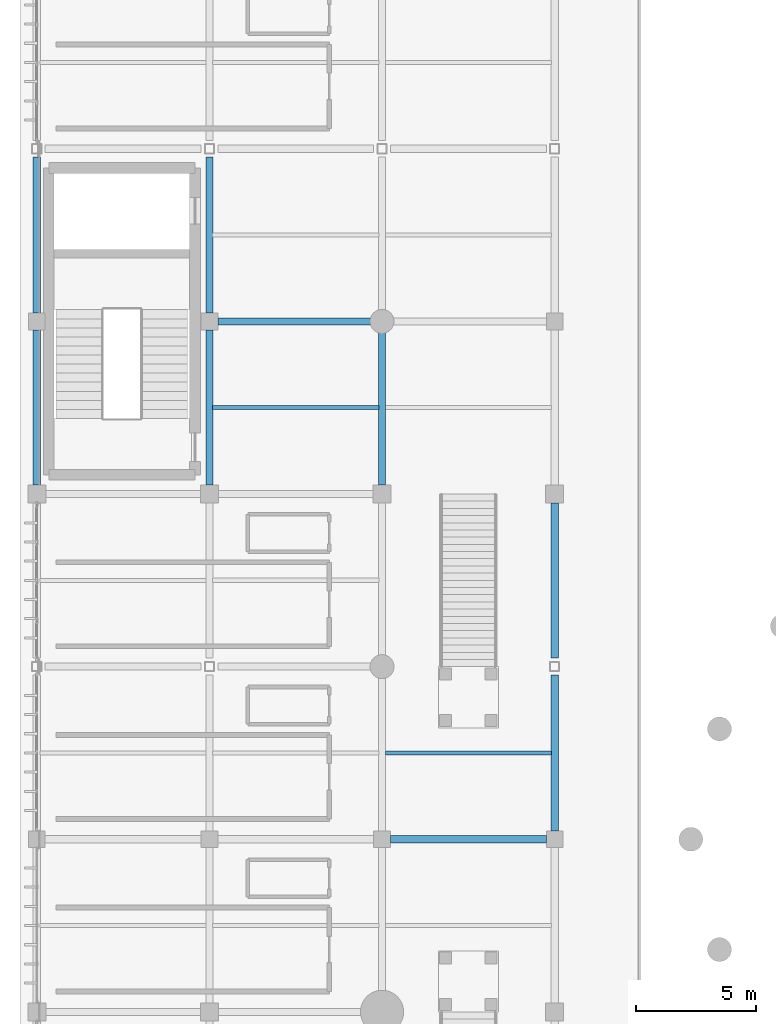
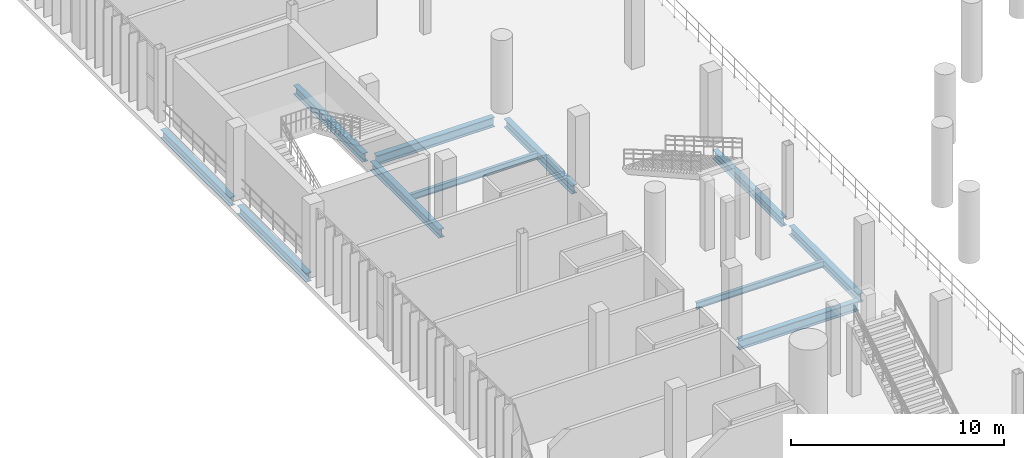
# One storey, part 51 of 130: 11 beams.
"""IFC4 building model written with IfcOpenShell, lengths in metres."""

from ifc_helpers import new_model, si_unit, direction, frame, origin, origin_2d, place, context, subcontext, project, spatial, i_section, extrude, material, material_profile, profile_set, type_object, element, save


model = new_model("IFC4")

# Units and contexts
model_context = context("Model", 3, precision=1e-05, world=origin(), true_north=direction((0.0, 1.0)))
body_context = subcontext(model_context, "Body", "Model", "MODEL_VIEW")
ifc_project = project(units=[si_unit("LENGTHUNIT", "METRE"), si_unit("AREAUNIT", "SQUARE_METRE"), si_unit("VOLUMEUNIT", "CUBIC_METRE"), si_unit("PLANEANGLEUNIT", "RADIAN"), si_unit("MASSUNIT", "GRAM", prefix="KILO")], contexts=[model_context])

# Site, building, storey
site_placement = place(None, origin())
site = spatial("IfcSite", under=ifc_project, at=site_placement, CompositionType="ELEMENT")
building_placement = place(site_placement, origin())
building = spatial("IfcBuilding", under=site, at=building_placement, Name="Qandorah Velis Arena", CompositionType="ELEMENT")
storey_placement = place(building_placement, frame((0.0, 0.0, 9.60009765625)))
storey = spatial("IfcBuildingStorey", under=building, at=storey_placement, Name="L02", CompositionType="ELEMENT", Elevation=9.60009765625)

# Beams
ifc_material = material(Name="Steel S355", Category="steel")
ifc_material_profile_1 = material_profile(ifc_material, i_section(OverallWidth=0.300048828125, OverallDepth=0.5, WebThickness=0.014404296875, FlangeThickness=0.028076171875, FilletRadius=0.027099609375, at=origin_2d()), Name="HEB 500")
ifc_profile_set_1 = profile_set([ifc_material_profile_1], Name="Steel S355")
beam_type_1 = type_object("IfcBeamType", Name="STR-BM-HEB500", PredefinedType="BEAM", material=ifc_profile_set_1)
beam_1_placement = place(storey_placement, frame((0.0, 79.574951171875, -0.530029296875), z_axis=(0.0, 1.0, 0.0), x_axis=(-1.0, 0.0, 0.0)))
element("IfcBeam", 1, at=beam_1_placement, inside=storey, type_object=beam_type_1, Name="Primary floor girder L02 Y-193", PredefinedType="BEAM", context=body_context, shape_type="SweptSolid", body=[
    extrude(i_section(OverallWidth=0.300048828125, OverallDepth=0.5, WebThickness=0.014404296875, FlangeThickness=0.028076171875, FilletRadius=0.027099609375, at=origin_2d()), origin(), (0.0, 0.0, 1.0), 6.47509765625),
])
beam_2_placement = place(storey_placement, frame((0.0, 86.75, -0.530029296875), z_axis=(0.0, 1.0, 0.0), x_axis=(-1.0, 0.0, 0.0)))
element("IfcBeam", 2, at=beam_2_placement, inside=storey, type_object=beam_type_1, Name="Primary floor girder L02 Y-194", PredefinedType="BEAM", context=body_context, shape_type="SweptSolid", body=[
    extrude(i_section(OverallWidth=0.300048828125, OverallDepth=0.5, WebThickness=0.014404296875, FlangeThickness=0.028076171875, FilletRadius=0.027099609375, at=origin_2d()), origin(), (0.0, 0.0, 1.0), 6.5),
])
beam_3_placement = place(storey_placement, frame((7.199951171875, 79.574951171875, -0.530029296875), z_axis=(0.0, 1.0, 0.0), x_axis=(-1.0, 0.0, 0.0)))
element("IfcBeam", 3, at=beam_3_placement, inside=storey, type_object=beam_type_1, Name="Primary floor girder L02 Y-207", PredefinedType="BEAM", context=body_context, shape_type="SweptSolid", body=[
    extrude(i_section(OverallWidth=0.300048828125, OverallDepth=0.5, WebThickness=0.014404296875, FlangeThickness=0.028076171875, FilletRadius=0.027099609375, at=origin_2d()), origin(), (0.0, 0.0, 1.0), 6.47509765625),
])
beam_4_placement = place(storey_placement, frame((7.199951171875, 86.75, -0.530029296875), z_axis=(0.0, 1.0, 0.0), x_axis=(-1.0, 0.0, 0.0)))
element("IfcBeam", 4, at=beam_4_placement, inside=storey, type_object=beam_type_1, Name="Primary floor girder L02 Y-208", PredefinedType="BEAM", context=body_context, shape_type="SweptSolid", body=[
    extrude(i_section(OverallWidth=0.300048828125, OverallDepth=0.5, WebThickness=0.014404296875, FlangeThickness=0.028076171875, FilletRadius=0.027099609375, at=origin_2d()), origin(), (0.0, 0.0, 1.0), 6.5),
])
beam_5_placement = place(storey_placement, frame((14.39990234375, 79.574951171875, -0.530029296875), z_axis=(0.0, 1.0, 0.0), x_axis=(-1.0, 0.0, 0.0)))
element("IfcBeam", 5, at=beam_5_placement, inside=storey, type_object=beam_type_1, Name="Primary floor girder L02 Y-221", PredefinedType="BEAM", context=body_context, shape_type="SweptSolid", body=[
    extrude(i_section(OverallWidth=0.300048828125, OverallDepth=0.5, WebThickness=0.014404296875, FlangeThickness=0.028076171875, FilletRadius=0.027099609375, at=origin_2d()), origin(), (0.0, 0.0, 1.0), 6.375),
])
beam_6_placement = place(storey_placement, frame((21.60009765625, 65.14990234375, -0.530029296875), z_axis=(0.0, 1.0, 0.0), x_axis=(-1.0, 0.0, 0.0)))
element("IfcBeam", 6, at=beam_6_placement, inside=storey, type_object=beam_type_1, Name="Primary floor girder L02 Y-233", PredefinedType="BEAM", context=body_context, shape_type="SweptSolid", body=[
    extrude(i_section(OverallWidth=0.300048828125, OverallDepth=0.5, WebThickness=0.014404296875, FlangeThickness=0.028076171875, FilletRadius=0.027099609375, at=origin_2d()), origin(), (0.0, 0.0, 1.0), 6.5),
])
beam_7_placement = place(storey_placement, frame((21.60009765625, 72.35009765625, -0.530029296875), z_axis=(0.0, 1.0, 0.0), x_axis=(-1.0, 0.0, 0.0)))
element("IfcBeam", 7, at=beam_7_placement, inside=storey, type_object=beam_type_1, Name="Primary floor girder L02 Y-234", PredefinedType="BEAM", context=body_context, shape_type="SweptSolid", body=[
    extrude(i_section(OverallWidth=0.300048828125, OverallDepth=0.5, WebThickness=0.014404296875, FlangeThickness=0.028076171875, FilletRadius=0.027099609375, at=origin_2d()), origin(), (0.0, 0.0, 1.0), 6.474853515625),
])
ifc_material_profile_2 = material_profile(ifc_material, i_section(OverallWidth=0.300048828125, OverallDepth=0.550048828125, WebThickness=0.014892578125, FlangeThickness=0.029052734375, FilletRadius=0.027099609375, at=origin_2d()), Name="HEB 550")
ifc_profile_set_2 = profile_set([ifc_material_profile_2], Name="Steel S355")
beam_type_2 = type_object("IfcBeamType", Name="STR-BM-HEB550", PredefinedType="BEAM", material=ifc_profile_set_2)
beam_8_placement = place(storey_placement, frame((14.75, 64.800048828125, -0.55517578125), z_axis=(1.0, 0.0, 0.0), x_axis=(0.0, 1.0, 0.0)))
element("IfcBeam", 8, at=beam_8_placement, inside=storey, type_object=beam_type_2, Name="Primary floor girder L02 X-093", PredefinedType="BEAM", context=body_context, shape_type="SweptSolid", body=[
    extrude(i_section(OverallWidth=0.300048828125, OverallDepth=0.550048828125, WebThickness=0.014892578125, FlangeThickness=0.029052734375, FilletRadius=0.027099609375, at=origin_2d()), origin(), (0.0, 0.0, 1.0), 6.5),
])
beam_9_placement = place(storey_placement, frame((7.550048828125, 86.39990234375, -0.55517578125), z_axis=(1.0, 0.0, 0.0), x_axis=(0.0, 1.0, 0.0)))
element("IfcBeam", 9, at=beam_9_placement, inside=storey, type_object=beam_type_2, Name="Primary floor girder L02 X-110", PredefinedType="BEAM", context=body_context, shape_type="SweptSolid", body=[
    extrude(i_section(OverallWidth=0.300048828125, OverallDepth=0.550048828125, WebThickness=0.014892578125, FlangeThickness=0.029052734375, FilletRadius=0.027099609375, at=origin_2d()), origin(), (0.0, 0.0, 1.0), 6.39990234375),
])
ifc_material_profile_3 = material_profile(ifc_material, i_section(OverallWidth=0.169921875, OverallDepth=0.360107421875, WebThickness=0.008056640625, FlangeThickness=0.0126953125, FilletRadius=0.01806640625, at=origin_2d()), Name="IPE 360")
ifc_profile_set_3 = profile_set([ifc_material_profile_3], Name="Steel S355")
beam_type_3 = type_object("IfcBeamType", Name="STR-JST-IPE360", PredefinedType="JOIST", material=ifc_profile_set_3)
beam_10_placement = place(storey_placement, frame((7.3349609375, 82.800048828125, -0.460205078125), z_axis=(1.0, 0.0, 0.0), x_axis=(0.0, 1.0, 0.0)))
element("IfcBeam", 10, at=beam_10_placement, inside=storey, type_object=beam_type_3, Name="Secondary floor joist L02-020", PredefinedType="JOIST", context=body_context, shape_type="SweptSolid", body=[
    extrude(i_section(OverallWidth=0.169921875, OverallDepth=0.360107421875, WebThickness=0.008056640625, FlangeThickness=0.0126953125, FilletRadius=0.01806640625, at=origin_2d()), origin(), (0.0, 0.0, 1.0), 6.929931640625),
])
beam_11_placement = place(storey_placement, frame((14.534912109375, 68.39990234375, -0.460205078125), z_axis=(1.0, 0.0, 0.0), x_axis=(0.0, 1.0, 0.0)))
element("IfcBeam", 11, at=beam_11_placement, inside=storey, type_object=beam_type_3, Name="Secondary floor joist L02-031", PredefinedType="JOIST", context=body_context, shape_type="SweptSolid", body=[
    extrude(i_section(OverallWidth=0.169921875, OverallDepth=0.360107421875, WebThickness=0.008056640625, FlangeThickness=0.0126953125, FilletRadius=0.01806640625, at=origin_2d()), origin(), (0.0, 0.0, 1.0), 6.93017578125),
])

save(model, "model.ifc")
